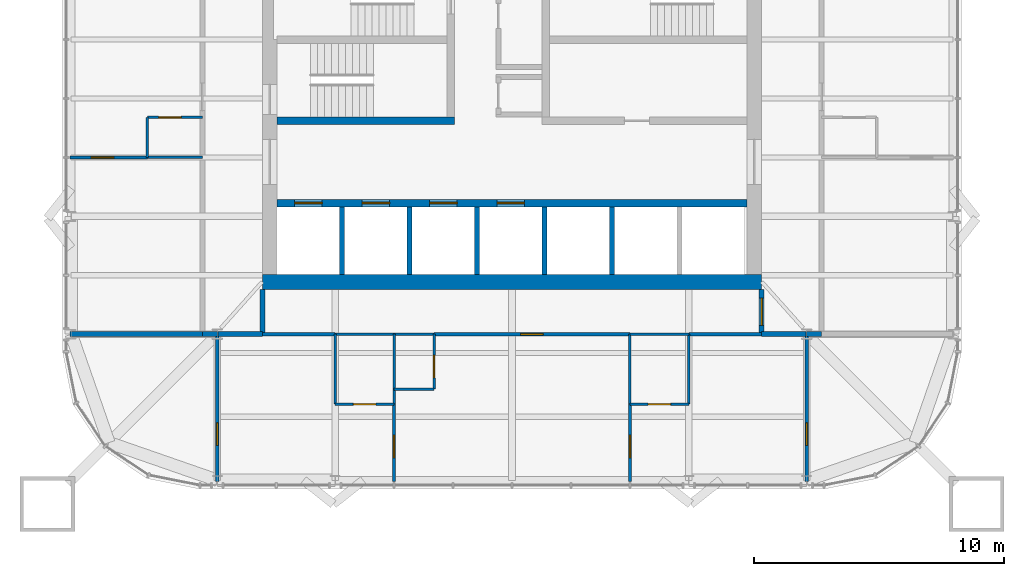
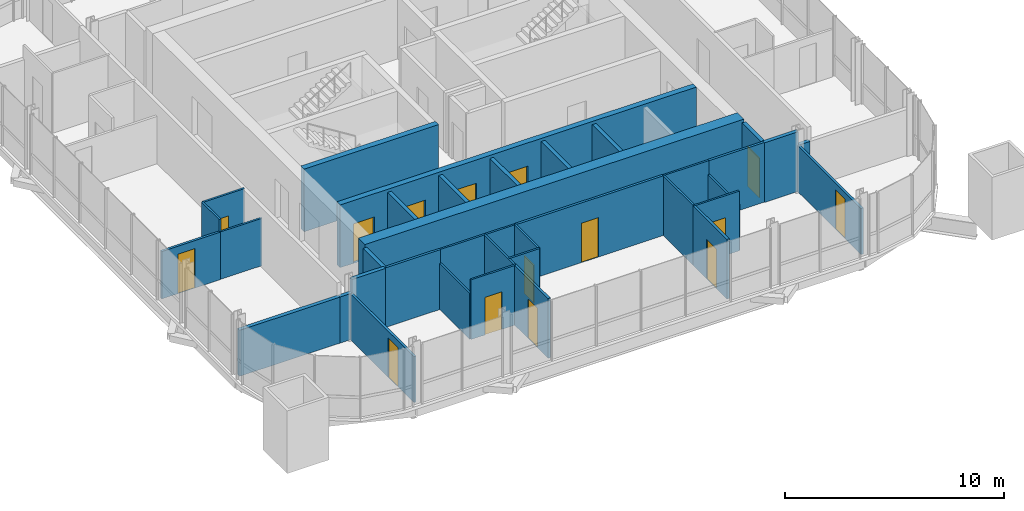
# One storey, part 13 of 17: 36 walls, 15 doors, 15 openings.
"""IFC4 building model written with IfcOpenShell, lengths in metres."""

import ifcopenshell
import ifcopenshell.guid

model = None  # the IFC model being written
_history = None  # IfcOwnerHistory: only IFC2X3 demands one
_inside = {}  # id of a spatial element -> (the spatial element, [elements in it])
_under = {}  # id of a project, library or spatial element -> (it, [spatial elements below it])
_declared = {}  # id of a project -> (the project, [libraries it declares])
_typed = {}  # id of a type object -> (the type object, [elements of that type])
_made_of = {}  # id of a material, layer set ... -> (it, [elements and type objects made of it])


def new_model(schema):
    """Start an empty IFC model of exactly this schema.

    Asked for "IFC4X3", IfcOpenShell would pick the latest addendum, in which some entities
    have other attributes; the version numbers below select the first issue.
    IFC2X3 requires an IfcOwnerHistory on every rooted entity: one is made here for all.
    """
    global model, _history
    if schema == "IFC4X3":
        model = ifcopenshell.file(schema_version=(4, 3, 0, 0))
    else:
        model = ifcopenshell.file(schema=schema)
    _inside.clear()
    _under.clear()
    _declared.clear()
    _typed.clear()
    _made_of.clear()
    _history = None
    if model.schema == "IFC2X3":
        org = make("IfcOrganization", Name="unknown")
        user = make(
            "IfcPersonAndOrganization",
            ThePerson=make("IfcPerson", FamilyName="unknown"),
            TheOrganization=org,
        )
        app = make(
            "IfcApplication",
            ApplicationDeveloper=org,
            Version="unknown",
            ApplicationFullName="unknown",
            ApplicationIdentifier="unknown",
        )
        _history = make(
            "IfcOwnerHistory",
            OwningUser=user,
            OwningApplication=app,
            ChangeAction="ADDED",
            CreationDate=0,
        )
    return model


def make(cls, **values):
    """One entity of the class cls with the attributes given. An attribute that is None is left unset."""
    return model.create_entity(
        cls, **{name: value for name, value in values.items() if value is not None}
    )


def rooted(cls, **values):
    """An entity with a GlobalId (a new one), such as an element, a storey or a relation."""
    return make(cls, GlobalId=ifcopenshell.guid.new(), OwnerHistory=_history, **values)


def si_unit(unit_type, name, prefix=None):
    """IfcSIUnit, for example si_unit("LENGTHUNIT", "METRE", prefix="MILLI")."""
    return make("IfcSIUnit", UnitType=unit_type, Prefix=prefix, Name=name)


def assignment(units):
    """IfcUnitAssignment: the units of a project."""
    return None if units is None else make("IfcUnitAssignment", Units=units)


def point(xyz):
    """IfcCartesianPoint."""
    return None if xyz is None else make("IfcCartesianPoint", Coordinates=xyz)


def direction(xyz):
    """IfcDirection."""
    return None if xyz is None else make("IfcDirection", DirectionRatios=xyz)


def frame(location, z_axis=None, x_axis=None):
    """IfcAxis2Placement3D, a coordinate frame: its origin and axes. An axis left out is left unset."""
    return make(
        "IfcAxis2Placement3D",
        Location=point(location),
        Axis=direction(z_axis),
        RefDirection=direction(x_axis),
    )


def frame_2d(location, x_axis=None):
    """IfcAxis2Placement2D, a coordinate frame in the plane: its origin and x axis."""
    return make(
        "IfcAxis2Placement2D", Location=point(location), RefDirection=direction(x_axis)
    )


def origin():
    """The frame at (0, 0, 0) with its axes left unset."""
    return frame((0.0, 0.0, 0.0))


def place(relative_to, where):
    """IfcLocalPlacement: puts the frame where relative to a parent placement (None: the world)."""
    return make(
        "IfcLocalPlacement", PlacementRelTo=relative_to, RelativePlacement=where
    )


def context(
    kind, dimensions, precision=None, world=None, true_north=None, identifier=None
):
    """IfcGeometricRepresentationContext, for example the 3D "Model" context."""
    return make(
        "IfcGeometricRepresentationContext",
        ContextIdentifier=identifier,
        ContextType=kind,
        CoordinateSpaceDimension=dimensions,
        Precision=precision,
        WorldCoordinateSystem=world,
        TrueNorth=true_north,
    )


def subcontext(parent, identifier, kind, view, scale=None):
    """IfcGeometricRepresentationSubContext, for example "Body" below "Model"."""
    return make(
        "IfcGeometricRepresentationSubContext",
        ContextIdentifier=identifier,
        ContextType=kind,
        ParentContext=parent,
        TargetScale=scale,
        TargetView=view,
    )


def project(units=None, contexts=None):
    """IfcProject with its units and contexts."""
    return rooted(
        "IfcProject",
        Name="project",
        RepresentationContexts=contexts,
        UnitsInContext=assignment(units),
    )


def spatial(cls, under=None, at=None, **own):
    """A site, building, storey or space (cls), placed at a placement, below another one or the project."""
    s = rooted(cls, ObjectPlacement=at, **own)
    if under is not None:
        _under.setdefault(under.id(), (under, []))[1].append(s)
    return s


def profile(cls, at=None, kind="AREA", **sizes):
    """A parametric profile (cls). Its sizes go by their IFC names, for example OverallWidth=200.0."""
    return make(cls, ProfileType=kind, Position=at, **sizes)


def rectangle(**sizes):
    """IfcRectangleProfileDef."""
    return profile("IfcRectangleProfileDef", **sizes)


def extrude(swept, where, along, depth):
    """IfcExtrudedAreaSolid: the profile swept, set in the frame where, extruded along a direction by depth."""
    return make(
        "IfcExtrudedAreaSolid",
        SweptArea=swept,
        Position=where,
        ExtrudedDirection=direction(along),
        Depth=depth,
    )


def shape(context_of_items, identifier, shape_type, items):
    """IfcShapeRepresentation: the items that make up one representation, for example the "Body"."""
    return make(
        "IfcShapeRepresentation",
        ContextOfItems=context_of_items,
        RepresentationIdentifier=identifier,
        RepresentationType=shape_type,
        Items=items,
    )


def material(Name=None, Category=None):
    """IfcMaterial."""
    return make("IfcMaterial", Name=Name, Category=Category)


def layer(
    of_material, thickness, ventilated=None, Name=None, Category=None, Priority=None
):
    """IfcMaterialLayer: one layer of a wall or slab, of a material (None: an air gap)."""
    return make(
        "IfcMaterialLayer",
        Material=of_material,
        LayerThickness=thickness,
        IsVentilated=ventilated,
        Name=Name,
        Category=Category,
        Priority=Priority,
    )


def layer_set(layers, Name=None):
    """IfcMaterialLayerSet."""
    return make("IfcMaterialLayerSet", MaterialLayers=layers, LayerSetName=Name)


def made_of(thing, what):
    """Note that an element or type object is made of a material, layer set ...; save() writes the relation."""
    if what is not None:
        _made_of.setdefault(what.id(), (what, []))[1].append(thing)
    return thing


def type_object(cls, material=None, **own):
    """A type object (cls), such as IfcWallType, which elements share."""
    return made_of(rooted(cls, **own), material)


def element(
    cls,
    number,
    at=None,
    inside=None,
    cuts=None,
    type_object=None,
    material=None,
    context=None,
    identifier="Body",
    shape_type=None,
    held_by="IfcProductDefinitionShape",
    body=None,
    shapes=None,
    **own,
):
    """One element of the class cls, such as IfcWall. Its Tag is "e" and its number.

    at: its placement. inside: the storey or other place that contains it. cuts: it is an
    opening in that element (IfcRelVoidsElement). A single representation is given by context,
    identifier, shape_type and body (its items); several are given by shapes. held_by: the class
    of the entity that holds the representations. save() writes the other relations.
    """
    e = rooted(cls, Tag="e%d" % number, ObjectPlacement=at, **own)
    if body is not None:
        shapes = [shape(context, identifier, shape_type, body)]
    if shapes is not None:
        e.Representation = make(held_by, Representations=shapes)
    if inside is not None:
        _inside.setdefault(inside.id(), (inside, []))[1].append(e)
    if cuts is not None:
        rooted(
            "IfcRelVoidsElement", RelatingBuildingElement=cuts, RelatedOpeningElement=e
        )
    if type_object is not None:
        _typed.setdefault(type_object.id(), (type_object, []))[1].append(e)
    return made_of(e, material)


def fill(opening, filler):
    """IfcRelFillsElement: the door or window that sits in an opening."""
    return rooted(
        "IfcRelFillsElement",
        RelatingOpeningElement=opening,
        RelatedBuildingElement=filler,
    )


def aggregate(whole, parts):
    """IfcRelAggregates: a whole, such as a stair, and the parts it consists of."""
    return rooted("IfcRelAggregates", RelatingObject=whole, RelatedObjects=parts)


def save(model, path):
    """Write the relations noted so far, then the file.

    IfcRelAggregates (storeys below a building ...), IfcRelContainedInSpatialStructure (elements
    in a storey), IfcRelDefinesByType, IfcRelAssociatesMaterial and IfcRelDeclares: one each for
    every whole, place, type object, material and project.
    """
    for whole, parts in _under.values():
        aggregate(whole, parts)
    for where, things in _inside.values():
        rooted(
            "IfcRelContainedInSpatialStructure",
            RelatedElements=things,
            RelatingStructure=where,
        )
    for kind, things in _typed.values():
        rooted("IfcRelDefinesByType", RelatedObjects=things, RelatingType=kind)
    for what, things in _made_of.values():
        rooted("IfcRelAssociatesMaterial", RelatedObjects=things, RelatingMaterial=what)
    for by, libraries in _declared.values():
        rooted("IfcRelDeclares", RelatingContext=by, RelatedDefinitions=libraries)
    model.write(path)


model = new_model("IFC4")

# Units and contexts
model_context = context("Model", 3, precision=1e-05, world=origin(), true_north=direction((0.0, 1.0)))
body_context = subcontext(model_context, "Body", "Model", "MODEL_VIEW")
ifc_project = project(units=[si_unit("LENGTHUNIT", "METRE"), si_unit("AREAUNIT", "SQUARE_METRE"), si_unit("VOLUMEUNIT", "CUBIC_METRE"), si_unit("PLANEANGLEUNIT", "RADIAN"), si_unit("MASSUNIT", "GRAM", prefix="KILO")], contexts=[model_context])

# Site, building, storey
site_placement = place(None, origin())
site = spatial("IfcSite", under=ifc_project, at=site_placement, CompositionType="ELEMENT")
building_placement = place(site_placement, origin())
building = spatial("IfcBuilding", under=site, at=building_placement, Name="Turquesa Mirador Hotel Tower", CompositionType="ELEMENT")
storey_placement = place(building_placement, frame((0.0, 0.0, 258.199951171875)))
storey = spatial("IfcBuildingStorey", under=building, at=storey_placement, Name="L70", CompositionType="ELEMENT", Elevation=258.199951171875)

# Walls
ifc_material_1 = material(Name="Gypsum board on steel studs", Category="steel")
ifc_layer_1 = layer(ifc_material_1, 0.10009765625)
ifc_layer_set_1 = layer_set([ifc_layer_1], Name="BATHROOM WALL 100")
wall_type_1 = type_object("IfcWallType", Name="BATHROOM WALL 100", PredefinedType="PARTITIONING", material=ifc_layer_set_1)
wall_1_placement = place(storey_placement, frame((47.919921875, 33.199951171875, 0.0), z_axis=(0.0, 0.0, 1.0), x_axis=(1.0, 0.0, 0.0)))
element("IfcWall", 1, at=wall_1_placement, inside=storey, type_object=wall_type_1, Name="Partition L70 001", PredefinedType="PARTITIONING", context=body_context, shape_type="SweptSolid", body=[
    extrude(rectangle(XDim=3.9599609375, YDim=0.10009765625, at=frame_2d((1.97998046875, 0.0))), origin(), (0.0, 0.0, 1.0), 3.330078125),
])
wall_2_placement = place(storey_placement, frame((59.719970703125, 33.199951171875, 0.0), z_axis=(0.0, 0.0, 1.0), x_axis=(1.0, 0.0, 0.0)))
element("IfcWall", 2, at=wall_2_placement, inside=storey, type_object=wall_type_1, Name="Partition L70 002", PredefinedType="PARTITIONING", context=body_context, shape_type="SweptSolid", body=[
    extrude(rectangle(XDim=2.360107421875, YDim=0.10009765625, at=frame_2d((1.18017578125, 0.0))), origin(), (0.0, 0.0, 1.0), 3.330078125),
])
wall_3_placement = place(storey_placement, frame((50.280029296875, 31.0, 0.0), z_axis=(0.0, 0.0, 1.0), x_axis=(1.0, 0.0, 0.0)))
element("IfcWall", 3, at=wall_3_placement, inside=storey, type_object=wall_type_1, Name="Partition L70 010", PredefinedType="PARTITIONING", context=body_context, shape_type="SweptSolid", body=[
    extrude(rectangle(XDim=1.599853515625, YDim=0.10009765625, at=frame_2d((0.7998046875, 0.0))), origin(), (0.0, 0.0, 1.0), 3.330078125),
])

# Wall, opening, door
wall_4_placement = place(storey_placement, frame((47.919921875, 30.39990234375, 0.0), z_axis=(0.0, 0.0, 1.0), x_axis=(1.0, 0.0, 0.0)))
wall_4 = element("IfcWall", 4, at=wall_4_placement, inside=storey, type_object=wall_type_1, Name="Partition L70 011", PredefinedType="PARTITIONING", context=body_context, shape_type="SweptSolid", body=[
    extrude(rectangle(XDim=2.360107421875, YDim=0.10009765625, at=frame_2d((1.18017578125, 0.0))), origin(), (0.0, 0.0, 1.0), 3.330078125),
])
opening_1_placement = place(wall_4_placement, frame((0.72998046875, 0.0, 0.0)))
opening_1 = element("IfcOpeningElement", 5, at=opening_1_placement, cuts=wall_4, Name="Opening D02", PredefinedType="OPENING", context=body_context, shape_type="SweptSolid", body=[
    extrude(rectangle(XDim=0.89990234375, YDim=2.10009765625, at=frame_2d((0.449951171875, 1.050048828125))), frame((0.0, 0.06005859375, 0.0), z_axis=(0.0, -1.0, 0.0), x_axis=(1.0, 0.0, 0.0)), (0.0, 0.0, 1.0), 0.1201171875),
])
ifc_material_2 = material(Name="Timber veneered door", Category="wood")
door_type_1 = type_object("IfcDoorType", Name="DOOR 900X2100 EN-SUITE", OperationType="SINGLE_SWING_RIGHT", PredefinedType="DOOR", material=ifc_material_2)
door_1_placement = place(opening_1_placement, origin())
door_1 = element("IfcDoor", 6, at=door_1_placement, inside=storey, type_object=door_type_1, Name="Door 7002B", OperationType="SINGLE_SWING_RIGHT", OverallHeight=2.10009765625, OverallWidth=0.89990234375, PredefinedType="DOOR", context=body_context, shape_type="SweptSolid", body=[
    extrude(rectangle(XDim=0.89990234375, YDim=2.10009765625, at=frame_2d((0.449951171875, 1.050048828125))), frame((0.0, 0.02490234375, 0.0), z_axis=(0.0, -1.0, 0.0), x_axis=(1.0, 0.0, 0.0)), (0.0, 0.0, 1.0), 0.050048828125),
])
fill(opening_1, door_1)

wall_5_placement = place(storey_placement, frame((59.719970703125, 30.39990234375, 0.0), z_axis=(0.0, 0.0, 1.0), x_axis=(1.0, 0.0, 0.0)))
wall_5 = element("IfcWall", 7, at=wall_5_placement, inside=storey, type_object=wall_type_1, Name="Partition L70 012", PredefinedType="PARTITIONING", context=body_context, shape_type="SweptSolid", body=[
    extrude(rectangle(XDim=2.360107421875, YDim=0.10009765625, at=frame_2d((1.18017578125, 0.0))), origin(), (0.0, 0.0, 1.0), 3.330078125),
])
opening_2_placement = place(wall_5_placement, frame((0.72998046875, 0.0, 0.0)))
opening_2 = element("IfcOpeningElement", 8, at=opening_2_placement, cuts=wall_5, Name="Opening D02", PredefinedType="OPENING", context=body_context, shape_type="SweptSolid", body=[
    extrude(rectangle(XDim=0.89990234375, YDim=2.10009765625, at=frame_2d((0.449951171875, 1.050048828125))), frame((0.0, 0.06005859375, 0.0), z_axis=(0.0, -1.0, 0.0), x_axis=(1.0, 0.0, 0.0)), (0.0, 0.0, 1.0), 0.1201171875),
])
door_2_placement = place(opening_2_placement, origin())
door_2 = element("IfcDoor", 9, at=door_2_placement, inside=storey, type_object=door_type_1, Name="Door 7002E", OperationType="SINGLE_SWING_RIGHT", OverallHeight=2.10009765625, OverallWidth=0.89990234375, PredefinedType="DOOR", context=body_context, shape_type="SweptSolid", body=[
    extrude(rectangle(XDim=0.89990234375, YDim=2.10009765625, at=frame_2d((0.449951171875, 1.050048828125))), frame((0.0, 0.02490234375, 0.0), z_axis=(0.0, -1.0, 0.0), x_axis=(1.0, 0.0, 0.0)), (0.0, 0.0, 1.0), 0.050048828125),
])
fill(opening_2, door_2)

wall_6_placement = place(storey_placement, frame((40.39990234375, 41.8798828125, 0.0), z_axis=(0.0, 0.0, 1.0), x_axis=(1.0, 0.0, 0.0)))
wall_6 = element("IfcWall", 10, at=wall_6_placement, inside=storey, type_object=wall_type_1, Name="Partition L70 013", PredefinedType="PARTITIONING", context=body_context, shape_type="SweptSolid", body=[
    extrude(rectangle(XDim=2.2001953125, YDim=0.10009765625, at=frame_2d((1.10009765625, 0.0))), origin(), (0.0, 0.0, 1.0), 3.330078125),
])
opening_3_placement = place(wall_6_placement, frame((0.449951171875, 0.0, 0.0)))
opening_3 = element("IfcOpeningElement", 11, at=opening_3_placement, cuts=wall_6, Name="Opening D06", PredefinedType="OPENING", context=body_context, shape_type="SweptSolid", body=[
    extrude(rectangle(XDim=0.89990234375, YDim=2.10009765625, at=frame_2d((0.449951171875, 1.050048828125))), frame((0.0, 0.06005859375, 0.0), z_axis=(0.0, -1.0, 0.0), x_axis=(1.0, 0.0, 0.0)), (0.0, 0.0, 1.0), 0.1201171875),
])
ifc_material_3 = material(Name="Laminate door", Category="wood")
door_type_2 = type_object("IfcDoorType", Name="DOOR 900X2100 WC", OperationType="SINGLE_SWING_LEFT", PredefinedType="DOOR", material=ifc_material_3)
door_3_placement = place(opening_3_placement, origin())
door_3 = element("IfcDoor", 12, at=door_3_placement, inside=storey, type_object=door_type_2, Name="Door 7004W", OperationType="SINGLE_SWING_LEFT", OverallHeight=2.10009765625, OverallWidth=0.89990234375, PredefinedType="DOOR", context=body_context, shape_type="SweptSolid", body=[
    extrude(rectangle(XDim=0.89990234375, YDim=2.10009765625, at=frame_2d((0.449951171875, 1.050048828125))), frame((0.0, 0.02490234375, 0.0), z_axis=(0.0, -1.0, 0.0), x_axis=(1.0, 0.0, 0.0)), (0.0, 0.0, 1.0), 0.050048828125),
])
fill(opening_3, door_3)

# Walls
wall_7_placement = place(storey_placement, frame((40.39990234375, 40.280029296875, 0.0), z_axis=(0.0, 0.0, 1.0), x_axis=(1.0, 0.0, 0.0)))
element("IfcWall", 13, at=wall_7_placement, inside=storey, type_object=wall_type_1, Name="Partition L70 015", PredefinedType="PARTITIONING", context=body_context, shape_type="SweptSolid", body=[
    extrude(rectangle(XDim=2.2001953125, YDim=0.10009765625, at=frame_2d((1.10009765625, 0.0))), origin(), (0.0, 0.0, 1.0), 2.646728515625),
])
wall_8_placement = place(storey_placement, frame((40.39990234375, 40.280029296875, 0.0), z_axis=(0.0, 0.0, 1.0), x_axis=(0.0, 1.0, 0.0)))
element("IfcWall", 14, at=wall_8_placement, inside=storey, type_object=wall_type_1, Name="Partition L70 042", PredefinedType="PARTITIONING", context=body_context, shape_type="SweptSolid", body=[
    extrude(rectangle(XDim=1.599853515625, YDim=0.10009765625, at=frame_2d((0.7998046875, 0.0))), origin(), (0.0, 0.0, 1.0), 3.330078125),
])

# Wall, opening, door
wall_9_placement = place(storey_placement, frame((51.8798828125, 31.0, 0.0), z_axis=(0.0, 0.0, 1.0), x_axis=(0.0, 1.0, 0.0)))
wall_9 = element("IfcWall", 15, at=wall_9_placement, inside=storey, type_object=wall_type_1, Name="Partition L70 045", PredefinedType="PARTITIONING", context=body_context, shape_type="SweptSolid", body=[
    extrude(rectangle(XDim=2.199951171875, YDim=0.10009765625, at=frame_2d((1.10009765625, 0.0))), origin(), (0.0, 0.0, 1.0), 3.330078125),
])
opening_4_placement = place(wall_9_placement, frame((0.449951171875, 0.0, 0.0)))
opening_4 = element("IfcOpeningElement", 16, at=opening_4_placement, cuts=wall_9, Name="Opening D06", PredefinedType="OPENING", context=body_context, shape_type="SweptSolid", body=[
    extrude(rectangle(XDim=0.89990234375, YDim=2.10009765625, at=frame_2d((0.449951171875, 1.050048828125))), frame((0.0, 0.06005859375, 0.0), z_axis=(0.0, -1.0, 0.0), x_axis=(1.0, 0.0, 0.0)), (0.0, 0.0, 1.0), 0.1201171875),
])
door_4_placement = place(opening_4_placement, origin())
door_4 = element("IfcDoor", 17, at=door_4_placement, inside=storey, type_object=door_type_2, Name="Door 7002W", OperationType="SINGLE_SWING_LEFT", OverallHeight=2.10009765625, OverallWidth=0.89990234375, PredefinedType="DOOR", context=body_context, shape_type="SweptSolid", body=[
    extrude(rectangle(XDim=0.89990234375, YDim=2.10009765625, at=frame_2d((0.449951171875, 1.050048828125))), frame((0.0, 0.02490234375, 0.0), z_axis=(0.0, -1.0, 0.0), x_axis=(1.0, 0.0, 0.0)), (0.0, 0.0, 1.0), 0.050048828125),
])
fill(opening_4, door_4)

# Walls
wall_10_placement = place(storey_placement, frame((50.280029296875, 30.39990234375, 0.0), z_axis=(0.0, 0.0, 1.0), x_axis=(0.0, 1.0, 0.0)))
element("IfcWall", 18, at=wall_10_placement, inside=storey, type_object=wall_type_1, Name="Partition L70 047", PredefinedType="PARTITIONING", context=body_context, shape_type="SweptSolid", body=[
    extrude(rectangle(XDim=2.800048828125, YDim=0.10009765625, at=frame_2d((1.39990234375, 0.0))), origin(), (0.0, 0.0, 1.0), 3.330078125),
])
wall_11_placement = place(storey_placement, frame((47.919921875, 30.39990234375, 0.0), z_axis=(0.0, 0.0, 1.0), x_axis=(0.0, 1.0, 0.0)))
element("IfcWall", 19, at=wall_11_placement, inside=storey, type_object=wall_type_1, Name="Partition L70 051", PredefinedType="PARTITIONING", context=body_context, shape_type="SweptSolid", body=[
    extrude(rectangle(XDim=2.800048828125, YDim=0.10009765625, at=frame_2d((1.39990234375, 0.0))), origin(), (0.0, 0.0, 1.0), 2.568115234375),
])
wall_12_placement = place(storey_placement, frame((59.719970703125, 30.39990234375, 0.0), z_axis=(0.0, 0.0, 1.0), x_axis=(0.0, 1.0, 0.0)))
element("IfcWall", 20, at=wall_12_placement, inside=storey, type_object=wall_type_1, Name="Partition L70 061", PredefinedType="PARTITIONING", context=body_context, shape_type="SweptSolid", body=[
    extrude(rectangle(XDim=2.800048828125, YDim=0.10009765625, at=frame_2d((1.39990234375, 0.0))), origin(), (0.0, 0.0, 1.0), 3.330078125),
])
wall_13_placement = place(storey_placement, frame((62.080078125, 30.39990234375, 0.0), z_axis=(0.0, 0.0, 1.0), x_axis=(0.0, 1.0, 0.0)))
element("IfcWall", 21, at=wall_13_placement, inside=storey, type_object=wall_type_1, Name="Partition L70 065", PredefinedType="PARTITIONING", context=body_context, shape_type="SweptSolid", body=[
    extrude(rectangle(XDim=2.800048828125, YDim=0.10009765625, at=frame_2d((1.39990234375, 0.0))), origin(), (0.0, 0.0, 1.0), 2.568115234375),
])

# Wall, openings, doors
ifc_material_4 = material(Name="Concrete C50/60", Category="concrete")
ifc_layer_2 = layer(ifc_material_4, 0.300048828125)
ifc_layer_set_2 = layer_set([ifc_layer_2], Name="CORE INNER WALL 300")
wall_type_2 = type_object("IfcWallType", Name="CORE INNER WALL 300", PredefinedType="SHEAR", material=ifc_layer_set_2)
wall_14_placement = place(storey_placement, frame((45.60009765625, 38.449951171875, 0.0), z_axis=(0.0, 0.0, 1.0), x_axis=(1.0, 0.0, 0.0)))
wall_14 = element("IfcWall", 22, at=wall_14_placement, inside=storey, type_object=wall_type_2, Name="Core wall SL", PredefinedType="SHEAR", context=body_context, shape_type="SweptSolid", body=[
    extrude(rectangle(XDim=18.7998046875, YDim=0.300048828125, at=frame_2d((9.39990234375, 0.0))), origin(), (0.0, 0.0, 1.0), 3.5),
])
opening_5_placement = place(wall_14_placement, frame((0.699951171875, 0.0, 0.0)))
opening_5 = element("IfcOpeningElement", 23, at=opening_5_placement, cuts=wall_14, Name="Opening LD", PredefinedType="OPENING", context=body_context, shape_type="SweptSolid", body=[
    extrude(rectangle(XDim=1.10009765625, YDim=2.199951171875, at=frame_2d((0.550048828125, 1.10009765625))), frame((0.0, 0.159912109375, 0.0), z_axis=(0.0, -1.0, 0.0), x_axis=(1.0, 0.0, 0.0)), (0.0, 0.0, 1.0), 0.320068359375),
])
opening_6_placement = place(wall_14_placement, frame((3.39990234375, 0.0, 0.0)))
opening_6 = element("IfcOpeningElement", 24, at=opening_6_placement, cuts=wall_14, Name="Opening LD", PredefinedType="OPENING", context=body_context, shape_type="SweptSolid", body=[
    extrude(rectangle(XDim=1.10009765625, YDim=2.199951171875, at=frame_2d((0.550048828125, 1.10009765625))), frame((0.0, 0.159912109375, 0.0), z_axis=(0.0, -1.0, 0.0), x_axis=(1.0, 0.0, 0.0)), (0.0, 0.0, 1.0), 0.320068359375),
])
opening_7_placement = place(wall_14_placement, frame((6.10009765625, 0.0, 0.0)))
opening_7 = element("IfcOpeningElement", 25, at=opening_7_placement, cuts=wall_14, Name="Opening LD", PredefinedType="OPENING", context=body_context, shape_type="SweptSolid", body=[
    extrude(rectangle(XDim=1.10009765625, YDim=2.199951171875, at=frame_2d((0.550048828125, 1.10009765625))), frame((0.0, 0.159912109375, 0.0), z_axis=(0.0, -1.0, 0.0), x_axis=(1.0, 0.0, 0.0)), (0.0, 0.0, 1.0), 0.320068359375),
])
opening_8_placement = place(wall_14_placement, frame((8.800048828125, 0.0, 0.0)))
opening_8 = element("IfcOpeningElement", 26, at=opening_8_placement, cuts=wall_14, Name="Opening LD", PredefinedType="OPENING", context=body_context, shape_type="SweptSolid", body=[
    extrude(rectangle(XDim=1.10009765625, YDim=2.199951171875, at=frame_2d((0.550048828125, 1.10009765625))), frame((0.0, 0.159912109375, 0.0), z_axis=(0.0, -1.0, 0.0), x_axis=(1.0, 0.0, 0.0)), (0.0, 0.0, 1.0), 0.320068359375),
])
ifc_material_5 = material(Name="Stainless steel lift landing door", Category="steel")
door_type_3 = type_object("IfcDoorType", Name="LIFT LANDING DOOR 1100X2200", OperationType="SLIDING_TO_LEFT", PredefinedType="DOOR", material=ifc_material_5)
door_5_placement = place(opening_5_placement, origin())
door_5 = element("IfcDoor", 27, at=door_5_placement, inside=storey, type_object=door_type_3, Name="Lift B1 landing door", OperationType="SLIDING_TO_LEFT", OverallHeight=2.199951171875, OverallWidth=1.10009765625, PredefinedType="DOOR", context=body_context, shape_type="SweptSolid", body=[
    extrude(rectangle(XDim=1.10009765625, YDim=2.199951171875, at=frame_2d((0.550048828125, 1.10009765625))), frame((0.0, 0.02490234375, 0.0), z_axis=(0.0, -1.0, 0.0), x_axis=(1.0, 0.0, 0.0)), (0.0, 0.0, 1.0), 0.050048828125),
])
fill(opening_5, door_5)
door_6_placement = place(opening_6_placement, origin())
door_6 = element("IfcDoor", 28, at=door_6_placement, inside=storey, type_object=door_type_3, Name="Lift B2 landing door", OperationType="SLIDING_TO_LEFT", OverallHeight=2.199951171875, OverallWidth=1.10009765625, PredefinedType="DOOR", context=body_context, shape_type="SweptSolid", body=[
    extrude(rectangle(XDim=1.10009765625, YDim=2.199951171875, at=frame_2d((0.550048828125, 1.10009765625))), frame((0.0, 0.02490234375, 0.0), z_axis=(0.0, -1.0, 0.0), x_axis=(1.0, 0.0, 0.0)), (0.0, 0.0, 1.0), 0.050048828125),
])
fill(opening_6, door_6)
door_7_placement = place(opening_7_placement, origin())
door_7 = element("IfcDoor", 29, at=door_7_placement, inside=storey, type_object=door_type_3, Name="Lift B3 landing door", OperationType="SLIDING_TO_LEFT", OverallHeight=2.199951171875, OverallWidth=1.10009765625, PredefinedType="DOOR", context=body_context, shape_type="SweptSolid", body=[
    extrude(rectangle(XDim=1.10009765625, YDim=2.199951171875, at=frame_2d((0.550048828125, 1.10009765625))), frame((0.0, 0.02490234375, 0.0), z_axis=(0.0, -1.0, 0.0), x_axis=(1.0, 0.0, 0.0)), (0.0, 0.0, 1.0), 0.050048828125),
])
fill(opening_7, door_7)
door_8_placement = place(opening_8_placement, origin())
door_8 = element("IfcDoor", 30, at=door_8_placement, inside=storey, type_object=door_type_3, Name="Lift B4 landing door", OperationType="SLIDING_TO_LEFT", OverallHeight=2.199951171875, OverallWidth=1.10009765625, PredefinedType="DOOR", context=body_context, shape_type="SweptSolid", body=[
    extrude(rectangle(XDim=1.10009765625, YDim=2.199951171875, at=frame_2d((0.550048828125, 1.10009765625))), frame((0.0, 0.02490234375, 0.0), z_axis=(0.0, -1.0, 0.0), x_axis=(1.0, 0.0, 0.0)), (0.0, 0.0, 1.0), 0.050048828125),
])
fill(opening_8, door_8)

# Walls
wall_15_placement = place(storey_placement, frame((45.60009765625, 41.75, 0.0), z_axis=(0.0, 0.0, 1.0), x_axis=(1.0, 0.0, 0.0)))
element("IfcWall", 31, at=wall_15_placement, inside=storey, type_object=wall_type_2, Name="Core wall MS-W", PredefinedType="SHEAR", context=body_context, shape_type="SweptSolid", body=[
    extrude(rectangle(XDim=7.099853515625, YDim=0.300048828125, at=frame_2d((3.5498046875, 0.0))), origin(), (0.0, 0.0, 1.0), 3.5),
])
ifc_material_6 = material(Name="Concrete C50/60", Category="concrete")
ifc_layer_3 = layer(ifc_material_6, 0.60009765625)
ifc_layer_set_3 = layer_set([ifc_layer_3], Name="CORE WALL 600")
wall_type_3 = type_object("IfcWallType", Name="CORE WALL 600", PredefinedType="SHEAR", material=ifc_layer_set_3)
wall_16_placement = place(storey_placement, frame((45.0, 35.300048828125, 0.0), z_axis=(0.0, 0.0, 1.0), x_axis=(1.0, 0.0, 0.0)))
element("IfcWall", 32, at=wall_16_placement, inside=storey, type_object=wall_type_3, Name="Core wall S", PredefinedType="SHEAR", context=body_context, shape_type="SweptSolid", body=[
    extrude(rectangle(XDim=20.0, YDim=0.60009765625, at=frame_2d((10.0, 0.0))), origin(), (0.0, 0.0, 1.0), 3.5),
])
ifc_material_7 = material(Name="Fire-rated gypsum board on steel studs", Category="steel")
ifc_layer_4 = layer(ifc_material_7, 0.199951171875)
ifc_layer_set_4 = layer_set([ifc_layer_4], Name="CORRIDOR WALL 200")
wall_type_4 = type_object("IfcWallType", Name="CORRIDOR WALL 200", PredefinedType="PARTITIONING", material=ifc_layer_set_4)
for number, where, z_axis, x_axis, name in (
    (33, (43.219970703125, 33.199951171875, 0.0), (0.0, 0.0, 1.0), (1.0, 0.0, 0.0), "Partition L70 003"),
    (34, (65.0, 33.199951171875, 0.0), (0.0, 0.0, 1.0), (1.0, 0.0, 0.0), "Partition L70 004"),
):
    element("IfcWall", number, at=place(storey_placement, frame(where, z_axis=z_axis, x_axis=x_axis)), inside=storey, type_object=wall_type_4, Name=name, PredefinedType="PARTITIONING", context=body_context, shape_type="SweptSolid", body=[
        extrude(rectangle(XDim=1.780029296875, YDim=0.199951171875, at=frame_2d((0.89013671875, 0.0))), origin(), (0.0, 0.0, 1.0), 3.330078125),
    ])
wall_17_placement = place(storey_placement, frame((45.0, 33.199951171875, 0.0), z_axis=(0.0, 0.0, 1.0), x_axis=(0.0, 1.0, 0.0)))
element("IfcWall", 35, at=wall_17_placement, inside=storey, type_object=wall_type_4, Name="Partition L70 037", PredefinedType="PARTITIONING", context=body_context, shape_type="SweptSolid", body=[
    extrude(rectangle(XDim=1.800048828125, YDim=0.199951171875, at=frame_2d((0.89990234375, 0.0))), origin(), (0.0, 0.0, 1.0), 3.330078125),
])

# Wall, opening, door
wall_18_placement = place(storey_placement, frame((65.0, 33.199951171875, 0.0), z_axis=(0.0, 0.0, 1.0), x_axis=(0.0, 1.0, 0.0)))
wall_18 = element("IfcWall", 36, at=wall_18_placement, inside=storey, type_object=wall_type_4, Name="Partition L70 053", PredefinedType="PARTITIONING", context=body_context, shape_type="SweptSolid", body=[
    extrude(rectangle(XDim=1.800048828125, YDim=0.199951171875, at=frame_2d((0.89990234375, 0.0))), origin(), (0.0, 0.0, 1.0), 3.330078125),
])
opening_9_placement = place(wall_18_placement, frame((0.35009765625, 0.0, 0.0)))
opening_9 = element("IfcOpeningElement", 37, at=opening_9_placement, cuts=wall_18, Name="Opening D15", PredefinedType="OPENING", context=body_context, shape_type="SweptSolid", body=[
    extrude(rectangle(XDim=1.10009765625, YDim=2.199951171875, at=frame_2d((0.550048828125, 1.10009765625))), frame((0.0, 0.10986328125, 0.0), z_axis=(0.0, -1.0, 0.0), x_axis=(1.0, 0.0, 0.0)), (0.0, 0.0, 1.0), 0.219970703125),
])
ifc_material_8 = material(Name="Timber veneered fire door", Category="wood")
door_type_4 = type_object("IfcDoorType", Name="DOOR 1100X2200 SUITE ENTRY", OperationType="SINGLE_SWING_LEFT", PredefinedType="DOOR", material=ifc_material_8)
door_9_placement = place(opening_9_placement, origin())
door_9 = element("IfcDoor", 38, at=door_9_placement, inside=storey, type_object=door_type_4, Name="Door 7002G", OperationType="SINGLE_SWING_LEFT", OverallHeight=2.199951171875, OverallWidth=1.10009765625, PredefinedType="DOOR", context=body_context, shape_type="SweptSolid", body=[
    extrude(rectangle(XDim=1.10009765625, YDim=2.199951171875, at=frame_2d((0.550048828125, 1.10009765625))), frame((0.0, 0.02490234375, 0.0), z_axis=(0.0, -1.0, 0.0), x_axis=(1.0, 0.0, 0.0)), (0.0, 0.0, 1.0), 0.050048828125),
])
fill(opening_9, door_9)

# Walls
for number, where, z_axis, x_axis, name in (
    (39, (42.60009765625, 33.199951171875, 0.0), (0.0, 0.0, 1.0), (1.0, 0.0, 0.0), "Partition L70 067"),
    (40, (66.780029296875, 33.199951171875, 0.0), (0.0, 0.0, 1.0), (1.0, 0.0, 0.0), "Partition L70 068"),
):
    element("IfcWall", number, at=place(storey_placement, frame(where, z_axis=z_axis, x_axis=x_axis)), inside=storey, type_object=wall_type_4, Name=name, PredefinedType="PARTITIONING", context=body_context, shape_type="SweptSolid", body=[
        extrude(rectangle(XDim=0.619873046875, YDim=0.199951171875, at=frame_2d((0.31005859375, 0.0))), origin(), (0.0, 0.0, 1.0), 2.568115234375),
    ])
ifc_material_9 = material(Name="Fire-rated gypsum shaft wall on steel studs", Category="steel")
ifc_layer_5 = layer(ifc_material_9, 0.199951171875)
ifc_layer_set_5 = layer_set([ifc_layer_5], Name="LIFT SHAFT DIVIDER 200")
wall_type_5 = type_object("IfcWallType", Name="LIFT SHAFT DIVIDER 200", PredefinedType="PARTITIONING", material=ifc_layer_set_5)
for number, where, z_axis, x_axis, name in (
    (41, (48.199951171875, 35.60009765625, 0.0), (0.0, 0.0, 1.0), (0.0, 1.0, 0.0), "Lift shaft divider"),
    (42, (50.89990234375, 35.60009765625, 0.0), (0.0, 0.0, 1.0), (0.0, 1.0, 0.0), "Lift shaft divider"),
    (43, (53.60009765625, 35.60009765625, 0.0), (0.0, 0.0, 1.0), (0.0, 1.0, 0.0), "Lift shaft divider"),
    (44, (56.300048828125, 35.60009765625, 0.0), (0.0, 0.0, 1.0), (0.0, 1.0, 0.0), "Lift shaft divider"),
    (45, (59.0, 35.60009765625, 0.0), (0.0, 0.0, 1.0), (0.0, 1.0, 0.0), "Lift shaft divider"),
):
    element("IfcWall", number, at=place(storey_placement, frame(where, z_axis=z_axis, x_axis=x_axis)), inside=storey, type_object=wall_type_5, Name=name, PredefinedType="PARTITIONING", context=body_context, shape_type="SweptSolid", body=[
        extrude(rectangle(XDim=2.699951171875, YDim=0.199951171875, at=frame_2d((1.35009765625, 0.0))), origin(), (0.0, 0.0, 1.0), 3.330078125),
    ])
ifc_material_10 = material(Name="Fire-rated gypsum board on steel studs", Category="steel")
ifc_layer_6 = layer(ifc_material_10, 0.199951171875)
ifc_layer_set_6 = layer_set([ifc_layer_6], Name="PARTY WALL 200")
wall_type_6 = type_object("IfcWallType", Name="PARTY WALL 200", PredefinedType="PARTITIONING", material=ifc_layer_set_6)
wall_19_placement = place(storey_placement, frame((37.300048828125, 33.199951171875, 0.0), z_axis=(0.0, 0.0, 1.0), x_axis=(1.0, 0.0, 0.0)))
element("IfcWall", 46, at=wall_19_placement, inside=storey, type_object=wall_type_6, Name="Partition L70 005", PredefinedType="PARTITIONING", context=body_context, shape_type="SweptSolid", body=[
    extrude(rectangle(XDim=5.300048828125, YDim=0.199951171875, at=frame_2d((2.64990234375, 0.0))), origin(), (0.0, 0.0, 1.0), 2.568115234375),
])
ifc_material_11 = material(Name="Acoustic gypsum board on steel studs", Category="steel")
ifc_layer_7 = layer(ifc_material_11, 0.125)
ifc_layer_set_7 = layer_set([ifc_layer_7], Name="SUITE PARTITION 125")
wall_type_7 = type_object("IfcWallType", Name="SUITE PARTITION 125", PredefinedType="PARTITIONING", material=ifc_layer_set_7)
wall_20_placement = place(storey_placement, frame((45.0, 33.199951171875, 0.0), z_axis=(0.0, 0.0, 1.0), x_axis=(1.0, 0.0, 0.0)))
element("IfcWall", 47, at=wall_20_placement, inside=storey, type_object=wall_type_7, Name="Partition L70 007", PredefinedType="PARTITIONING", context=body_context, shape_type="SweptSolid", body=[
    extrude(rectangle(XDim=2.919921875, YDim=0.125, at=frame_2d((1.4599609375, 0.0))), origin(), (0.0, 0.0, 1.0), 3.330078125),
])

# Wall, opening, door
wall_21_placement = place(storey_placement, frame((51.8798828125, 33.199951171875, 0.0), z_axis=(0.0, 0.0, 1.0), x_axis=(1.0, 0.0, 0.0)))
wall_21 = element("IfcWall", 48, at=wall_21_placement, inside=storey, type_object=wall_type_7, Name="Partition L70 008", PredefinedType="PARTITIONING", context=body_context, shape_type="SweptSolid", body=[
    extrude(rectangle(XDim=7.840087890625, YDim=0.125, at=frame_2d((3.919921875, 0.0))), origin(), (0.0, 0.0, 1.0), 3.330078125),
])
opening_10_placement = place(wall_21_placement, frame((3.469970703125, 0.0, 0.0)))
opening_10 = element("IfcOpeningElement", 49, at=opening_10_placement, cuts=wall_21, Name="Opening D17", PredefinedType="OPENING", context=body_context, shape_type="SweptSolid", body=[
    extrude(rectangle(XDim=0.89990234375, YDim=2.199951171875, at=frame_2d((0.449951171875, 1.10009765625))), frame((0.0, 0.072509765625, 0.0), z_axis=(0.0, -1.0, 0.0), x_axis=(1.0, 0.0, 0.0)), (0.0, 0.0, 1.0), 0.14501953125),
])
ifc_material_12 = material(Name="Timber veneered door", Category="wood")
door_type_5 = type_object("IfcDoorType", Name="DOOR 900X2200 SUITE INTERNAL", OperationType="SINGLE_SWING_LEFT", PredefinedType="DOOR", material=ifc_material_12)
door_10_placement = place(opening_10_placement, origin())
door_10 = element("IfcDoor", 50, at=door_10_placement, inside=storey, type_object=door_type_5, Name="Door 7002", OperationType="SINGLE_SWING_LEFT", OverallHeight=2.199951171875, OverallWidth=0.89990234375, PredefinedType="DOOR", context=body_context, shape_type="SweptSolid", body=[
    extrude(rectangle(XDim=0.89990234375, YDim=2.199951171875, at=frame_2d((0.449951171875, 1.10009765625))), frame((0.0, 0.02490234375, 0.0), z_axis=(0.0, -1.0, 0.0), x_axis=(1.0, 0.0, 0.0)), (0.0, 0.0, 1.0), 0.050048828125),
])
fill(opening_10, door_10)

# Wall
wall_22_placement = place(storey_placement, frame((62.080078125, 33.199951171875, 0.0), z_axis=(0.0, 0.0, 1.0), x_axis=(1.0, 0.0, 0.0)))
element("IfcWall", 51, at=wall_22_placement, inside=storey, type_object=wall_type_7, Name="Partition L70 009", PredefinedType="PARTITIONING", context=body_context, shape_type="SweptSolid", body=[
    extrude(rectangle(XDim=2.919921875, YDim=0.125, at=frame_2d((1.4599609375, 0.0))), origin(), (0.0, 0.0, 1.0), 3.330078125),
])

# Wall, opening, door
wall_23_placement = place(storey_placement, frame((37.300048828125, 40.280029296875, 0.0), z_axis=(0.0, 0.0, 1.0), x_axis=(1.0, 0.0, 0.0)))
wall_23 = element("IfcWall", 52, at=wall_23_placement, inside=storey, type_object=wall_type_7, Name="Partition L70 017", PredefinedType="PARTITIONING", context=body_context, shape_type="SweptSolid", body=[
    extrude(rectangle(XDim=3.099853515625, YDim=0.125, at=frame_2d((1.5498046875, 0.0))), origin(), (0.0, 0.0, 1.0), 2.646728515625),
])
opening_11_placement = place(wall_23_placement, frame((0.85009765625, 0.0, 0.0)))
opening_11 = element("IfcOpeningElement", 53, at=opening_11_placement, cuts=wall_23, Name="Opening D17", PredefinedType="OPENING", context=body_context, shape_type="SweptSolid", body=[
    extrude(rectangle(XDim=0.89990234375, YDim=2.199951171875, at=frame_2d((0.449951171875, 1.10009765625))), frame((0.0, 0.072509765625, 0.0), z_axis=(0.0, -1.0, 0.0), x_axis=(1.0, 0.0, 0.0)), (0.0, 0.0, 1.0), 0.14501953125),
])
door_11_placement = place(opening_11_placement, origin())
door_11 = element("IfcDoor", 54, at=door_11_placement, inside=storey, type_object=door_type_5, Name="Door 7004M", OperationType="SINGLE_SWING_LEFT", OverallHeight=2.199951171875, OverallWidth=0.89990234375, PredefinedType="DOOR", context=body_context, shape_type="SweptSolid", body=[
    extrude(rectangle(XDim=0.89990234375, YDim=2.199951171875, at=frame_2d((0.449951171875, 1.10009765625))), frame((0.0, 0.02490234375, 0.0), z_axis=(0.0, -1.0, 0.0), x_axis=(1.0, 0.0, 0.0)), (0.0, 0.0, 1.0), 0.050048828125),
])
fill(opening_11, door_11)

wall_24_placement = place(storey_placement, frame((43.199951171875, 27.300048828125, 0.0), z_axis=(0.0, 0.0, 1.0), x_axis=(0.0, 1.0, 0.0)))
wall_24 = element("IfcWall", 55, at=wall_24_placement, inside=storey, type_object=wall_type_7, Name="Partition L70 039", PredefinedType="PARTITIONING", context=body_context, shape_type="SweptSolid", body=[
    extrude(rectangle(XDim=5.89990234375, YDim=0.125, at=frame_2d((2.949951171875, 0.0))), origin(), (0.0, 0.0, 1.0), 2.568115234375),
])
opening_12_placement = place(wall_24_placement, frame((1.449951171875, 0.0, 0.0)))
opening_12 = element("IfcOpeningElement", 56, at=opening_12_placement, cuts=wall_24, Name="Opening D17", PredefinedType="OPENING", context=body_context, shape_type="SweptSolid", body=[
    extrude(rectangle(XDim=0.89990234375, YDim=2.199951171875, at=frame_2d((0.449951171875, 1.10009765625))), frame((0.0, 0.072509765625, 0.0), z_axis=(0.0, -1.0, 0.0), x_axis=(1.0, 0.0, 0.0)), (0.0, 0.0, 1.0), 0.14501953125),
])
door_12_placement = place(opening_12_placement, origin())
door_12 = element("IfcDoor", 57, at=door_12_placement, inside=storey, type_object=door_type_5, Name="Door 7002T", OperationType="SINGLE_SWING_LEFT", OverallHeight=2.199951171875, OverallWidth=0.89990234375, PredefinedType="DOOR", context=body_context, shape_type="SweptSolid", body=[
    extrude(rectangle(XDim=0.89990234375, YDim=2.199951171875, at=frame_2d((0.449951171875, 1.10009765625))), frame((0.0, 0.02490234375, 0.0), z_axis=(0.0, -1.0, 0.0), x_axis=(1.0, 0.0, 0.0)), (0.0, 0.0, 1.0), 0.050048828125),
])
fill(opening_12, door_12)

wall_25_placement = place(storey_placement, frame((50.280029296875, 27.300048828125, 0.0), z_axis=(0.0, 0.0, 1.0), x_axis=(0.0, 1.0, 0.0)))
wall_25 = element("IfcWall", 58, at=wall_25_placement, inside=storey, type_object=wall_type_7, Name="Partition L70 049", PredefinedType="PARTITIONING", context=body_context, shape_type="SweptSolid", body=[
    extrude(rectangle(XDim=3.099853515625, YDim=0.125, at=frame_2d((1.5498046875, 0.0))), origin(), (0.0, 0.0, 1.0), 3.330078125),
])
opening_13_placement = place(wall_25_placement, frame((0.949951171875, 0.0, 0.0)))
opening_13 = element("IfcOpeningElement", 59, at=opening_13_placement, cuts=wall_25, Name="Opening D17", PredefinedType="OPENING", context=body_context, shape_type="SweptSolid", body=[
    extrude(rectangle(XDim=0.89990234375, YDim=2.199951171875, at=frame_2d((0.449951171875, 1.10009765625))), frame((0.0, 0.072509765625, 0.0), z_axis=(0.0, -1.0, 0.0), x_axis=(1.0, 0.0, 0.0)), (0.0, 0.0, 1.0), 0.14501953125),
])
door_13_placement = place(opening_13_placement, origin())
door_13 = element("IfcDoor", 60, at=door_13_placement, inside=storey, type_object=door_type_5, Name="Door 7002R", OperationType="SINGLE_SWING_LEFT", OverallHeight=2.199951171875, OverallWidth=0.89990234375, PredefinedType="DOOR", context=body_context, shape_type="SweptSolid", body=[
    extrude(rectangle(XDim=0.89990234375, YDim=2.199951171875, at=frame_2d((0.449951171875, 1.10009765625))), frame((0.0, 0.02490234375, 0.0), z_axis=(0.0, -1.0, 0.0), x_axis=(1.0, 0.0, 0.0)), (0.0, 0.0, 1.0), 0.050048828125),
])
fill(opening_13, door_13)

wall_26_placement = place(storey_placement, frame((66.800048828125, 27.300048828125, 0.0), z_axis=(0.0, 0.0, 1.0), x_axis=(0.0, 1.0, 0.0)))
wall_26 = element("IfcWall", 61, at=wall_26_placement, inside=storey, type_object=wall_type_7, Name="Partition L70 055", PredefinedType="PARTITIONING", context=body_context, shape_type="SweptSolid", body=[
    extrude(rectangle(XDim=5.89990234375, YDim=0.125, at=frame_2d((2.949951171875, 0.0))), origin(), (0.0, 0.0, 1.0), 2.568115234375),
])
opening_14_placement = place(wall_26_placement, frame((1.449951171875, 0.0, 0.0)))
opening_14 = element("IfcOpeningElement", 62, at=opening_14_placement, cuts=wall_26, Name="Opening D17", PredefinedType="OPENING", context=body_context, shape_type="SweptSolid", body=[
    extrude(rectangle(XDim=0.89990234375, YDim=2.199951171875, at=frame_2d((0.449951171875, 1.10009765625))), frame((0.0, 0.072509765625, 0.0), z_axis=(0.0, -1.0, 0.0), x_axis=(1.0, 0.0, 0.0)), (0.0, 0.0, 1.0), 0.14501953125),
])
door_14_placement = place(opening_14_placement, origin())
door_14 = element("IfcDoor", 63, at=door_14_placement, inside=storey, type_object=door_type_5, Name="Door 7002U", OperationType="SINGLE_SWING_LEFT", OverallHeight=2.199951171875, OverallWidth=0.89990234375, PredefinedType="DOOR", context=body_context, shape_type="SweptSolid", body=[
    extrude(rectangle(XDim=0.89990234375, YDim=2.199951171875, at=frame_2d((0.449951171875, 1.10009765625))), frame((0.0, 0.02490234375, 0.0), z_axis=(0.0, -1.0, 0.0), x_axis=(1.0, 0.0, 0.0)), (0.0, 0.0, 1.0), 0.050048828125),
])
fill(opening_14, door_14)

wall_27_placement = place(storey_placement, frame((59.719970703125, 27.300048828125, 0.0), z_axis=(0.0, 0.0, 1.0), x_axis=(0.0, 1.0, 0.0)))
wall_27 = element("IfcWall", 64, at=wall_27_placement, inside=storey, type_object=wall_type_7, Name="Partition L70 063", PredefinedType="PARTITIONING", context=body_context, shape_type="SweptSolid", body=[
    extrude(rectangle(XDim=3.099853515625, YDim=0.125, at=frame_2d((1.5498046875, 0.0))), origin(), (0.0, 0.0, 1.0), 3.330078125),
])
opening_15_placement = place(wall_27_placement, frame((0.949951171875, 0.0, 0.0)))
opening_15 = element("IfcOpeningElement", 65, at=opening_15_placement, cuts=wall_27, Name="Opening D17", PredefinedType="OPENING", context=body_context, shape_type="SweptSolid", body=[
    extrude(rectangle(XDim=0.89990234375, YDim=2.199951171875, at=frame_2d((0.449951171875, 1.10009765625))), frame((0.0, 0.072509765625, 0.0), z_axis=(0.0, -1.0, 0.0), x_axis=(1.0, 0.0, 0.0)), (0.0, 0.0, 1.0), 0.14501953125),
])
door_15_placement = place(opening_15_placement, origin())
door_15 = element("IfcDoor", 66, at=door_15_placement, inside=storey, type_object=door_type_5, Name="Door 7002S", OperationType="SINGLE_SWING_LEFT", OverallHeight=2.199951171875, OverallWidth=0.89990234375, PredefinedType="DOOR", context=body_context, shape_type="SweptSolid", body=[
    extrude(rectangle(XDim=0.89990234375, YDim=2.199951171875, at=frame_2d((0.449951171875, 1.10009765625))), frame((0.0, 0.02490234375, 0.0), z_axis=(0.0, -1.0, 0.0), x_axis=(1.0, 0.0, 0.0)), (0.0, 0.0, 1.0), 0.050048828125),
])
fill(opening_15, door_15)

save(model, "model.ifc")
